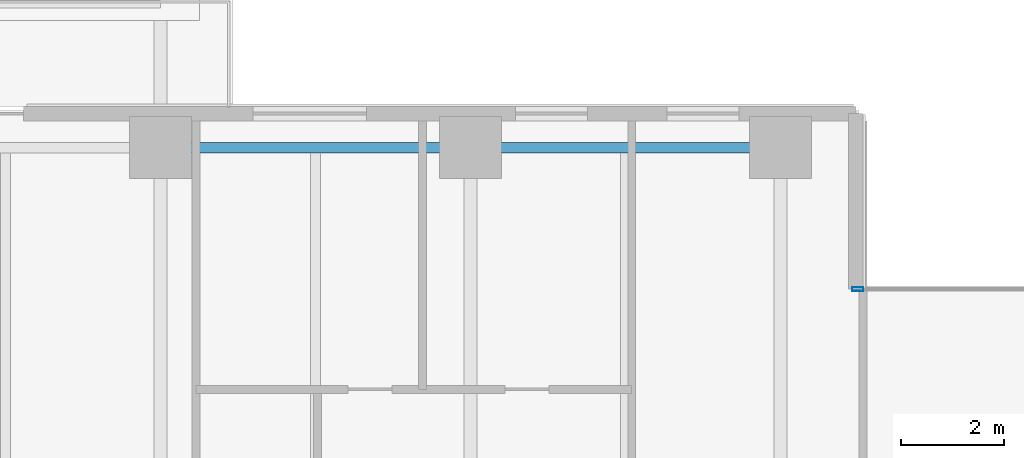
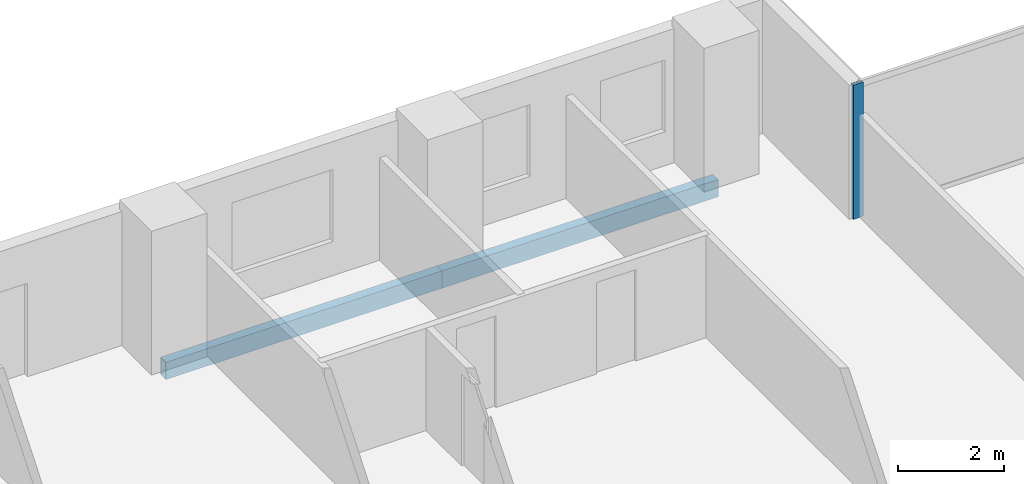
# One storey, part 9 of 33: 2 beams, 1 member, 1 element without a shape of its own.
"""IFC4 building model written with IfcOpenShell, lengths in metres."""

import ifcopenshell
import ifcopenshell.guid

model = None  # the IFC model being written
_history = None  # IfcOwnerHistory: only IFC2X3 demands one
_inside = {}  # id of a spatial element -> (the spatial element, [elements in it])
_under = {}  # id of a project, library or spatial element -> (it, [spatial elements below it])
_declared = {}  # id of a project -> (the project, [libraries it declares])
_typed = {}  # id of a type object -> (the type object, [elements of that type])
_made_of = {}  # id of a material, layer set ... -> (it, [elements and type objects made of it])


def new_model(schema):
    """Start an empty IFC model of exactly this schema.

    Asked for "IFC4X3", IfcOpenShell would pick the latest addendum, in which some entities
    have other attributes; the version numbers below select the first issue.
    IFC2X3 requires an IfcOwnerHistory on every rooted entity: one is made here for all.
    """
    global model, _history
    if schema == "IFC4X3":
        model = ifcopenshell.file(schema_version=(4, 3, 0, 0))
    else:
        model = ifcopenshell.file(schema=schema)
    _inside.clear()
    _under.clear()
    _declared.clear()
    _typed.clear()
    _made_of.clear()
    _history = None
    if model.schema == "IFC2X3":
        org = make("IfcOrganization", Name="unknown")
        user = make(
            "IfcPersonAndOrganization",
            ThePerson=make("IfcPerson", FamilyName="unknown"),
            TheOrganization=org,
        )
        app = make(
            "IfcApplication",
            ApplicationDeveloper=org,
            Version="unknown",
            ApplicationFullName="unknown",
            ApplicationIdentifier="unknown",
        )
        _history = make(
            "IfcOwnerHistory",
            OwningUser=user,
            OwningApplication=app,
            ChangeAction="ADDED",
            CreationDate=0,
        )
    return model


def make(cls, **values):
    """One entity of the class cls with the attributes given. An attribute that is None is left unset."""
    return model.create_entity(
        cls, **{name: value for name, value in values.items() if value is not None}
    )


def rooted(cls, **values):
    """An entity with a GlobalId (a new one), such as an element, a storey or a relation."""
    return make(cls, GlobalId=ifcopenshell.guid.new(), OwnerHistory=_history, **values)


def si_unit(unit_type, name, prefix=None):
    """IfcSIUnit, for example si_unit("LENGTHUNIT", "METRE", prefix="MILLI")."""
    return make("IfcSIUnit", UnitType=unit_type, Prefix=prefix, Name=name)


def assignment(units):
    """IfcUnitAssignment: the units of a project."""
    return None if units is None else make("IfcUnitAssignment", Units=units)


def point(xyz):
    """IfcCartesianPoint."""
    return None if xyz is None else make("IfcCartesianPoint", Coordinates=xyz)


def direction(xyz):
    """IfcDirection."""
    return None if xyz is None else make("IfcDirection", DirectionRatios=xyz)


def frame(location, z_axis=None, x_axis=None):
    """IfcAxis2Placement3D, a coordinate frame: its origin and axes. An axis left out is left unset."""
    return make(
        "IfcAxis2Placement3D",
        Location=point(location),
        Axis=direction(z_axis),
        RefDirection=direction(x_axis),
    )


def frame_2d(location, x_axis=None):
    """IfcAxis2Placement2D, a coordinate frame in the plane: its origin and x axis."""
    return make(
        "IfcAxis2Placement2D", Location=point(location), RefDirection=direction(x_axis)
    )


def origin():
    """The frame at (0, 0, 0) with its axes left unset."""
    return frame((0.0, 0.0, 0.0))


def origin_2d():
    """The frame at (0, 0) in the plane with its x axis left unset."""
    return frame_2d((0.0, 0.0))


def place(relative_to, where):
    """IfcLocalPlacement: puts the frame where relative to a parent placement (None: the world)."""
    return make(
        "IfcLocalPlacement", PlacementRelTo=relative_to, RelativePlacement=where
    )


def context(
    kind, dimensions, precision=None, world=None, true_north=None, identifier=None
):
    """IfcGeometricRepresentationContext, for example the 3D "Model" context."""
    return make(
        "IfcGeometricRepresentationContext",
        ContextIdentifier=identifier,
        ContextType=kind,
        CoordinateSpaceDimension=dimensions,
        Precision=precision,
        WorldCoordinateSystem=world,
        TrueNorth=true_north,
    )


def subcontext(parent, identifier, kind, view, scale=None):
    """IfcGeometricRepresentationSubContext, for example "Body" below "Model"."""
    return make(
        "IfcGeometricRepresentationSubContext",
        ContextIdentifier=identifier,
        ContextType=kind,
        ParentContext=parent,
        TargetScale=scale,
        TargetView=view,
    )


def project(units=None, contexts=None):
    """IfcProject with its units and contexts."""
    return rooted(
        "IfcProject",
        Name="project",
        RepresentationContexts=contexts,
        UnitsInContext=assignment(units),
    )


def spatial(cls, under=None, at=None, **own):
    """A site, building, storey or space (cls), placed at a placement, below another one or the project."""
    s = rooted(cls, ObjectPlacement=at, **own)
    if under is not None:
        _under.setdefault(under.id(), (under, []))[1].append(s)
    return s


def profile(cls, at=None, kind="AREA", **sizes):
    """A parametric profile (cls). Its sizes go by their IFC names, for example OverallWidth=200.0."""
    return make(cls, ProfileType=kind, Position=at, **sizes)


def hollow_rectangle(**sizes):
    """IfcRectangleHollowProfileDef."""
    return profile("IfcRectangleHollowProfileDef", **sizes)


def extrude(swept, where, along, depth):
    """IfcExtrudedAreaSolid: the profile swept, set in the frame where, extruded along a direction by depth."""
    return make(
        "IfcExtrudedAreaSolid",
        SweptArea=swept,
        Position=where,
        ExtrudedDirection=direction(along),
        Depth=depth,
    )


def shape(context_of_items, identifier, shape_type, items):
    """IfcShapeRepresentation: the items that make up one representation, for example the "Body"."""
    return make(
        "IfcShapeRepresentation",
        ContextOfItems=context_of_items,
        RepresentationIdentifier=identifier,
        RepresentationType=shape_type,
        Items=items,
    )


def material(Name=None, Category=None):
    """IfcMaterial."""
    return make("IfcMaterial", Name=Name, Category=Category)


def layer(
    of_material, thickness, ventilated=None, Name=None, Category=None, Priority=None
):
    """IfcMaterialLayer: one layer of a wall or slab, of a material (None: an air gap)."""
    return make(
        "IfcMaterialLayer",
        Material=of_material,
        LayerThickness=thickness,
        IsVentilated=ventilated,
        Name=Name,
        Category=Category,
        Priority=Priority,
    )


def layer_set(layers, Name=None):
    """IfcMaterialLayerSet."""
    return make("IfcMaterialLayerSet", MaterialLayers=layers, LayerSetName=Name)


def material_profile(
    of_material, cross_section, Name=None, Category=None, Priority=None
):
    """IfcMaterialProfile: a cross section and its material."""
    return make(
        "IfcMaterialProfile",
        Name=Name,
        Material=of_material,
        Profile=cross_section,
        Priority=Priority,
        Category=Category,
    )


def profile_set(profiles, Name=None, composite=None):
    """IfcMaterialProfileSet."""
    return make(
        "IfcMaterialProfileSet",
        Name=Name,
        MaterialProfiles=profiles,
        CompositeProfile=composite,
    )


def made_of(thing, what):
    """Note that an element or type object is made of a material, layer set ...; save() writes the relation."""
    if what is not None:
        _made_of.setdefault(what.id(), (what, []))[1].append(thing)
    return thing


def type_object(cls, material=None, **own):
    """A type object (cls), such as IfcWallType, which elements share."""
    return made_of(rooted(cls, **own), material)


def element(
    cls,
    number,
    at=None,
    inside=None,
    cuts=None,
    type_object=None,
    material=None,
    context=None,
    identifier="Body",
    shape_type=None,
    held_by="IfcProductDefinitionShape",
    body=None,
    shapes=None,
    **own,
):
    """One element of the class cls, such as IfcWall. Its Tag is "e" and its number.

    at: its placement. inside: the storey or other place that contains it. cuts: it is an
    opening in that element (IfcRelVoidsElement). A single representation is given by context,
    identifier, shape_type and body (its items); several are given by shapes. held_by: the class
    of the entity that holds the representations. save() writes the other relations.
    """
    e = rooted(cls, Tag="e%d" % number, ObjectPlacement=at, **own)
    if body is not None:
        shapes = [shape(context, identifier, shape_type, body)]
    if shapes is not None:
        e.Representation = make(held_by, Representations=shapes)
    if inside is not None:
        _inside.setdefault(inside.id(), (inside, []))[1].append(e)
    if cuts is not None:
        rooted(
            "IfcRelVoidsElement", RelatingBuildingElement=cuts, RelatedOpeningElement=e
        )
    if type_object is not None:
        _typed.setdefault(type_object.id(), (type_object, []))[1].append(e)
    return made_of(e, material)


def aggregate(whole, parts):
    """IfcRelAggregates: a whole, such as a stair, and the parts it consists of."""
    return rooted("IfcRelAggregates", RelatingObject=whole, RelatedObjects=parts)


def save(model, path):
    """Write the relations noted so far, then the file.

    IfcRelAggregates (storeys below a building ...), IfcRelContainedInSpatialStructure (elements
    in a storey), IfcRelDefinesByType, IfcRelAssociatesMaterial and IfcRelDeclares: one each for
    every whole, place, type object, material and project.
    """
    for whole, parts in _under.values():
        aggregate(whole, parts)
    for where, things in _inside.values():
        rooted(
            "IfcRelContainedInSpatialStructure",
            RelatedElements=things,
            RelatingStructure=where,
        )
    for kind, things in _typed.values():
        rooted("IfcRelDefinesByType", RelatedObjects=things, RelatingType=kind)
    for what, things in _made_of.values():
        rooted("IfcRelAssociatesMaterial", RelatedObjects=things, RelatingMaterial=what)
    for by, libraries in _declared.values():
        rooted("IfcRelDeclares", RelatingContext=by, RelatedDefinitions=libraries)
    model.write(path)


model = new_model("IFC4")

# Units and contexts
model_context = context("Model", 3, precision=1e-05, world=origin(), true_north=direction((0.0, 1.0)))
body_context = subcontext(model_context, "Body", "Model", "MODEL_VIEW")
ifc_project = project(units=[si_unit("LENGTHUNIT", "METRE"), si_unit("AREAUNIT", "SQUARE_METRE"), si_unit("VOLUMEUNIT", "CUBIC_METRE"), si_unit("PLANEANGLEUNIT", "RADIAN"), si_unit("MASSUNIT", "GRAM", prefix="KILO")], contexts=[model_context])

# Site, building, storey
site_placement = place(None, origin())
site = spatial("IfcSite", under=ifc_project, at=site_placement, CompositionType="ELEMENT")
building_placement = place(site_placement, origin())
building = spatial("IfcBuilding", under=site, at=building_placement, Name="Tanjung Sevakor Pilgrim Tower", CompositionType="ELEMENT")
storey_placement = place(building_placement, frame((0.0, 0.0, 38.93994140625)))
storey = spatial("IfcBuildingStorey", under=building, at=storey_placement, Name="L10", CompositionType="ELEMENT", Elevation=38.93994140625)

# Beams
ifc_material_1 = material(Name="Steel S355J2", Category="steel")
ifc_material_profile_1 = material_profile(ifc_material_1, hollow_rectangle(XDim=0.199951171875, YDim=0.39990234375, WallThickness=0.01611328125, at=origin_2d()))
ifc_profile_set_1 = profile_set([ifc_material_profile_1], Name="Steel S355J2")
beam_type = type_object("IfcBeamType", Name="BM-B-SP2-RHS_400x200x16", PredefinedType="SPANDREL", material=ifc_profile_set_1)
for number, where, z_axis, x_axis, name in (
    (1, (30.0, 58.800048828125, -0.419921875), (1.0, 0.0, 0.0), (0.0, 1.0, 0.0), "L10 Spandrel MAIN N-04"),
    (2, (36.0, 58.800048828125, -0.419921875), (1.0, 0.0, 0.0), (0.0, 1.0, 0.0), "L10 Spandrel MAIN N-06"),
):
    element("IfcBeam", number, at=place(storey_placement, frame(where, z_axis=z_axis, x_axis=x_axis)), inside=storey, type_object=beam_type, Name=name, PredefinedType="SPANDREL", context=body_context, shape_type="SweptSolid", body=[
        extrude(hollow_rectangle(XDim=0.199951171875, YDim=0.39990234375, WallThickness=0.01611328125, at=origin_2d()), origin(), (0.0, 0.0, 1.0), 6.0),
    ])

# Curtain wall, member
ifc_material_2 = material(Name="Aluminium 6063-T6 and Low-E Glass", Category="aluminium")
ifc_layer = layer(ifc_material_2, 0.179931640625)
ifc_layer_set = layer_set([ifc_layer], Name="CW-SYS-CLEFT")
curtain_wall_type = type_object("IfcCurtainWallType", Name="CW-SYS-CLEFT", PredefinedType="NOTDEFINED", material=ifc_layer_set)
curtain_wall_placement = place(storey_placement, origin())
curtain_wall = element("IfcCurtainWall", 3, at=curtain_wall_placement, inside=storey, type_object=curtain_wall_type, Name="L10 Curtain Wall CW-CLF-L10-10", PredefinedType="NOTDEFINED")
ifc_material_3 = material(Name="Aluminium 6063-T6", Category="aluminium")
ifc_material_profile_2 = material_profile(ifc_material_3, hollow_rectangle(XDim=0.074951171875, YDim=0.219970703125, WallThickness=0.0048828125, at=origin_2d()))
ifc_profile_set_2 = profile_set([ifc_material_profile_2], Name="Aluminium 6063-T6")
member_type = type_object("IfcMemberType", Name="TYPE-CWM-2", PredefinedType="MULLION", material=ifc_profile_set_2)
member_placement = place(storey_placement, frame((43.49755859375, 56.06005859375, 0.0), z_axis=(0.0, 0.0, 1.0), x_axis=(0.0, -1.0, 0.0)))
member = element("IfcMember", 4, at=member_placement, type_object=member_type, Name="CW-CLF mullion 2", PredefinedType="MULLION", context=body_context, shape_type="SweptSolid", body=[
    extrude(hollow_rectangle(XDim=0.074951171875, YDim=0.219970703125, WallThickness=0.0048828125, at=origin_2d()), origin(), (0.0, 0.0, 1.0), 3.080078125),
])
aggregate(curtain_wall, [member])

save(model, "model.ifc")
